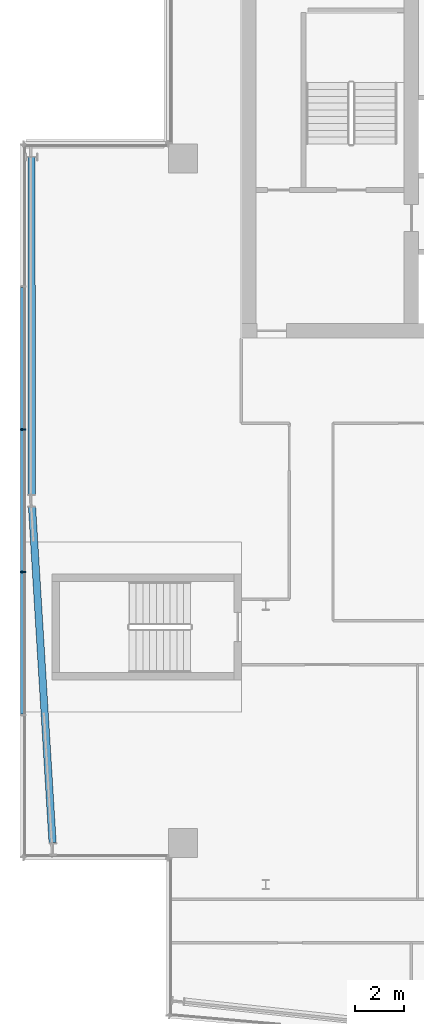
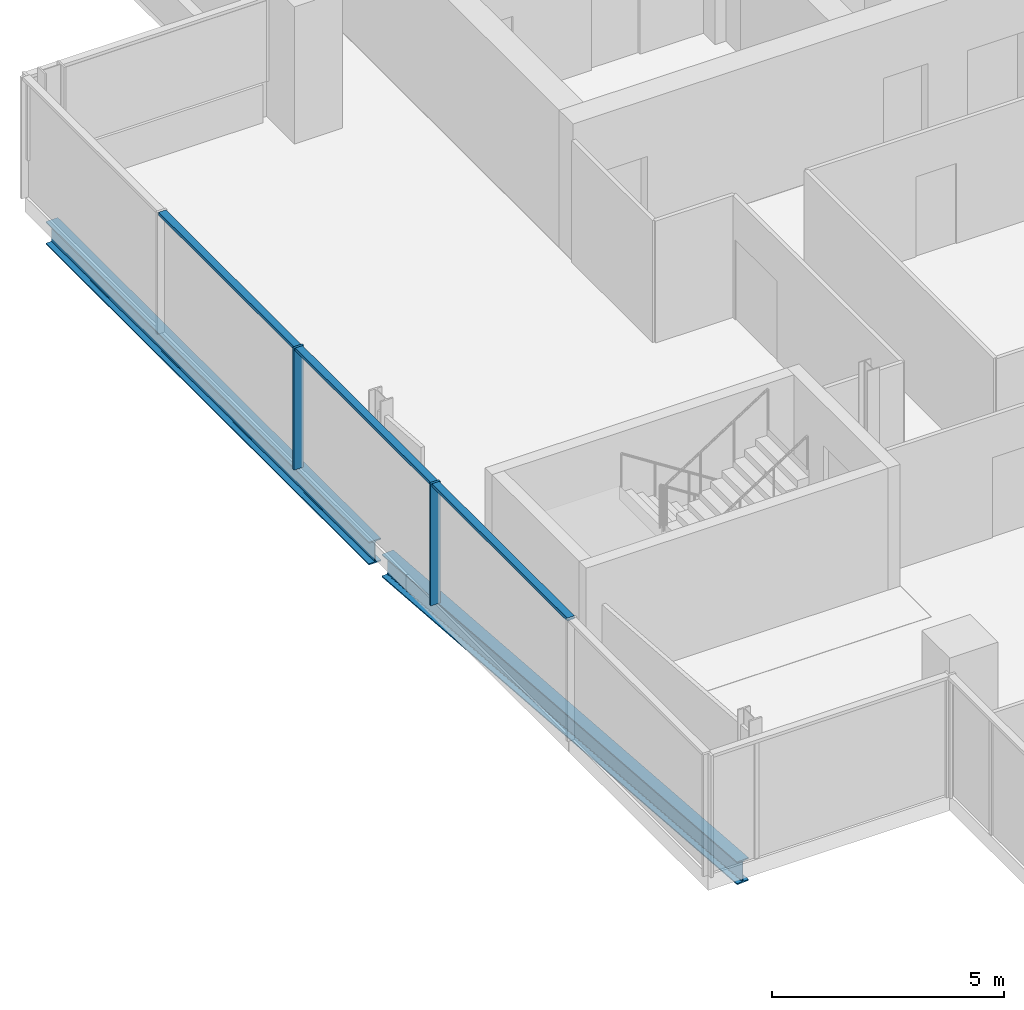
# One storey, part 6 of 22: 5 members, 2 beams, 1 element without a shape of its own.
"""IFC4 building model written with IfcOpenShell, lengths in metres."""

from ifc_helpers import new_model, si_unit, direction, frame, origin, origin_2d, place, context, subcontext, project, spatial, rectangle, i_section, extrude, material, material_profile, profile_set, type_object, element, aggregate, save


model = new_model("IFC4")

# Units and contexts
model_context = context("Model", 3, precision=1e-05, world=origin(), true_north=direction((0.0, 1.0)))
body_context = subcontext(model_context, "Body", "Model", "MODEL_VIEW")
ifc_project = project(units=[si_unit("LENGTHUNIT", "METRE"), si_unit("AREAUNIT", "SQUARE_METRE"), si_unit("VOLUMEUNIT", "CUBIC_METRE"), si_unit("PLANEANGLEUNIT", "RADIAN"), si_unit("MASSUNIT", "GRAM", prefix="KILO")], contexts=[model_context])

# Site, building, storey
site_placement = place(None, origin())
site = spatial("IfcSite", under=ifc_project, at=site_placement, CompositionType="ELEMENT")
building_placement = place(site_placement, origin())
building = spatial("IfcBuilding", under=site, at=building_placement, Name="Wharfspan Tower", CompositionType="ELEMENT")
storey_placement = place(building_placement, frame((0.0, 0.0, 246.699951)))
storey = spatial("IfcBuildingStorey", under=building, at=storey_placement, Name="L62", CompositionType="ELEMENT", Elevation=246.699951)

# Beams
ifc_material_1 = material(Name="Steel S355J2", Category="steel")
ifc_material_profile_1 = material_profile(ifc_material_1, i_section(OverallWidth=0.300049, OverallDepth=0.600098, WebThickness=0.015381, FlangeThickness=0.030029, FilletRadius=0.0271, at=origin_2d()))
ifc_profile_set_1 = profile_set([ifc_material_profile_1], Name="Steel S355J2")
beam_type = type_object("IfcBeamType", Name="Edge beam HEB 600", PredefinedType="SPANDREL", material=ifc_profile_set_1)
beam_1_placement = place(storey_placement, frame((14.356934, 41.453125, -0.699951), z_axis=(0.000211, -1.0, 0.0), x_axis=(1.0, 0.000211, 0.0)))
element("IfcBeam", 1, at=beam_1_placement, inside=storey, type_object=beam_type, Name="Edge beam W L62 PNRW-H.1 to PW.1", PredefinedType="SPANDREL", context=body_context, shape_type="SweptSolid", body=[
    extrude(i_section(OverallWidth=0.300049, OverallDepth=0.600098, WebThickness=0.015381, FlangeThickness=0.030029, FilletRadius=0.0271, at=origin_2d()), origin(), (0.0, 0.0, 1.0), 13.89502),
])
beam_2_placement = place(storey_placement, frame((14.375732, 27.041992, -0.699951), z_axis=(0.061113, -0.998131, 0.0), x_axis=(0.998131, 0.061113, 0.0)))
element("IfcBeam", 2, at=beam_2_placement, inside=storey, type_object=beam_type, Name="Edge beam L62 PW.1 to PW.2", PredefinedType="SPANDREL", context=body_context, shape_type="SweptSolid", body=[
    extrude(i_section(OverallWidth=0.300049, OverallDepth=0.600098, WebThickness=0.015381, FlangeThickness=0.030029, FilletRadius=0.0271, at=origin_2d()), origin(), (0.0, 0.0, 1.0), 13.846436),
])

# Curtain wall, members
ifc_material_2 = material(Name="Aluminium 6063-T6", Category="aluminium")
curtain_wall_type = type_object("IfcCurtainWallType", Name="CURTAIN WALL PROW AND END", PredefinedType="NOTDEFINED", material=ifc_material_2)
curtain_wall_placement = place(storey_placement, origin())
curtain_wall = element("IfcCurtainWall", 3, at=curtain_wall_placement, inside=storey, type_object=curtain_wall_type, Name="Curtain wall W", PredefinedType="NOTDEFINED")
ifc_material_profile_2 = material_profile(ifc_material_2, rectangle(XDim=0.23999, YDim=0.060059, at=origin_2d()))
ifc_profile_set_2 = profile_set([ifc_material_profile_2], Name="Aluminium 6063-T6")
member_type_1 = type_object("IfcMemberType", Name="MULLION PROW AND END 60x240", PredefinedType="MULLION", material=ifc_profile_set_2)
member_1_placement = place(storey_placement, frame((14.0, 30.23999, 0.0), z_axis=(0.0, 0.0, 1.0), x_axis=(1.0, 0.0, 0.0)))
member_1 = element("IfcMember", 4, at=member_1_placement, type_object=member_type_1, Name="Curtain wall W mullion 3", PredefinedType="MULLION", context=body_context, shape_type="SweptSolid", body=[
    extrude(rectangle(XDim=0.23999, YDim=0.060059, at=origin_2d()), origin(), (0.0, 0.0, 1.0), 3.199951),
])
member_2_placement = place(storey_placement, frame((14.0, 24.360107, 0.0), z_axis=(0.0, 0.0, 1.0), x_axis=(1.0, 0.0, 0.0)))
member_2 = element("IfcMember", 5, at=member_2_placement, type_object=member_type_1, Name="Curtain wall W mullion 4", PredefinedType="MULLION", context=body_context, shape_type="SweptSolid", body=[
    extrude(rectangle(XDim=0.23999, YDim=0.060059, at=origin_2d()), origin(), (0.0, 0.0, 1.0), 3.199951),
])
ifc_material_profile_3 = material_profile(ifc_material_2, rectangle(XDim=0.179932, YDim=0.080078, at=origin_2d()))
ifc_profile_set_3 = profile_set([ifc_material_profile_3], Name="Aluminium 6063-T6")
member_type_2 = type_object("IfcMemberType", Name="TRANSOM PROW AND END 80x180", PredefinedType="USERDEFINED", material=ifc_profile_set_3)
member_3_placement = place(storey_placement, frame((14.0, 36.090088, 3.160156), z_axis=(0.0, -1.0, 0.0), x_axis=(1.0, 0.0, 0.0)))
member_3 = element("IfcMember", 6, at=member_3_placement, type_object=member_type_2, Name="Curtain wall W transom 2", ObjectType="TRANSOM", PredefinedType="USERDEFINED", context=body_context, shape_type="SweptSolid", body=[
    extrude(rectangle(XDim=0.179932, YDim=0.080078, at=origin_2d()), origin(), (0.0, 0.0, 1.0), 5.820068),
])
member_4_placement = place(storey_placement, frame((14.0, 30.209961, 3.160156), z_axis=(0.0, -1.0, 0.0), x_axis=(1.0, 0.0, 0.0)))
member_4 = element("IfcMember", 7, at=member_4_placement, type_object=member_type_2, Name="Curtain wall W transom 3", ObjectType="TRANSOM", PredefinedType="USERDEFINED", context=body_context, shape_type="SweptSolid", body=[
    extrude(rectangle(XDim=0.179932, YDim=0.080078, at=origin_2d()), origin(), (0.0, 0.0, 1.0), 5.820068),
])
member_5_placement = place(storey_placement, frame((14.0, 24.330078, 3.160156), z_axis=(0.0, -1.0, 0.0), x_axis=(1.0, 0.0, 0.0)))
member_5 = element("IfcMember", 8, at=member_5_placement, type_object=member_type_2, Name="Curtain wall W transom 4", ObjectType="TRANSOM", PredefinedType="USERDEFINED", context=body_context, shape_type="SweptSolid", body=[
    extrude(rectangle(XDim=0.179932, YDim=0.080078, at=origin_2d()), origin(), (0.0, 0.0, 1.0), 5.820068),
])
aggregate(curtain_wall, [member_1, member_2, member_3, member_4, member_5])

save(model, "model.ifc")
